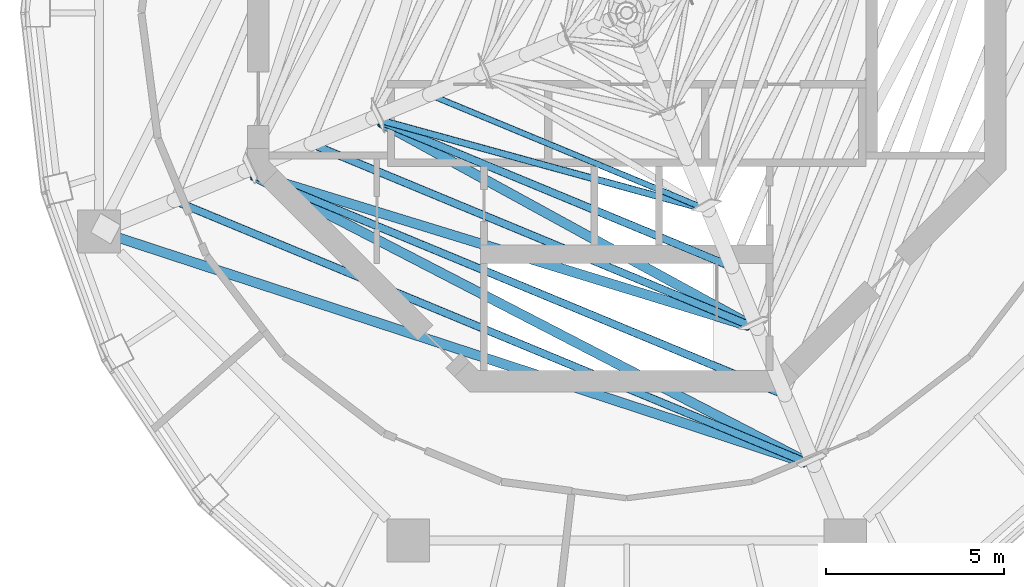
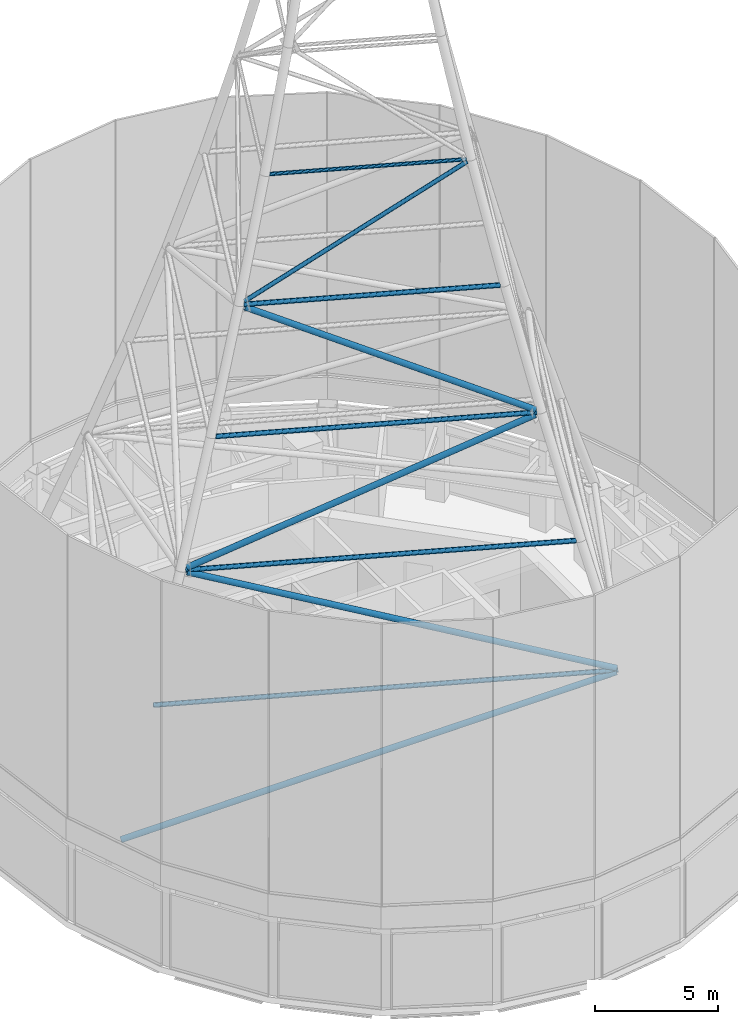
# One storey, part 4 of 25: 10 members.
"""IFC4 building model written with IfcOpenShell, lengths in metres."""

from ifc_helpers import new_model, si_unit, direction, frame, origin, origin_2d, place, context, subcontext, project, spatial, hollow_circle, extrude, material, material_profile, profile_set, type_object, element, save


model = new_model("IFC4")

# Units and contexts
model_context = context("Model", 3, precision=1e-05, world=origin(), true_north=direction((0.0, 1.0)))
body_context = subcontext(model_context, "Body", "Model", "MODEL_VIEW")
ifc_project = project(units=[si_unit("LENGTHUNIT", "METRE"), si_unit("AREAUNIT", "SQUARE_METRE"), si_unit("VOLUMEUNIT", "CUBIC_METRE"), si_unit("PLANEANGLEUNIT", "RADIAN"), si_unit("MASSUNIT", "GRAM", prefix="KILO")], contexts=[model_context])

# Site, building, storey
site_placement = place(None, origin())
site = spatial("IfcSite", under=ifc_project, at=site_placement, CompositionType="ELEMENT")
building_placement = place(site_placement, origin())
building = spatial("IfcBuilding", under=site, at=building_placement, Name="Nagisa Residences", CompositionType="ELEMENT")
storey_placement = place(building_placement, frame((0.0, 0.0, 340.89990234375)))
storey = spatial("IfcBuildingStorey", under=building, at=storey_placement, Name="L84", CompositionType="ELEMENT", Elevation=340.89990234375)

# Members
ifc_material_1 = material(Name="Steel ASTM A572 Gr 50", Category="steel")
ifc_material_profile_1 = material_profile(ifc_material_1, hollow_circle(Radius=0.096923828125, WallThickness=0.008056640625, at=origin_2d()), Name="MAST BRACE CHS 193.7x8")
ifc_profile_set_1 = profile_set([ifc_material_profile_1], Name="Steel ASTM A572 Gr 50")
member_type_1 = type_object("IfcMemberType", Name="MAST BRACE CHS 193.7x8", PredefinedType="BRACE", material=ifc_profile_set_1)
member_1_placement = place(storey_placement, frame((-6.888427734375, -3.011962890625, 26.134765625), z_axis=(0.840119997621, -0.230195109171, 0.491129923046), x_axis=(0.264262106498, 0.964450900289, 0.0)))
element("IfcMember", 1, at=member_1_placement, inside=storey, type_object=member_type_1, Name="Mast brace 5.3", PredefinedType="BRACE", context=body_context, shape_type="SweptSolid", body=[
    extrude(hollow_circle(Radius=0.096923828125, WallThickness=0.008056640625, at=origin_2d()), origin(), (0.0, 0.0, 1.0), 10.72998046875),
])
ifc_material_2 = material(Name="Steel ASTM A572 Gr 50", Category="steel")
ifc_material_profile_2 = material_profile(ifc_material_2, hollow_circle(Radius=0.136474609375, WallThickness=0.010009765625, at=origin_2d()), Name="MAST BRACE CHS 273x10")
ifc_profile_set_2 = profile_set([ifc_material_profile_2], Name="Steel ASTM A572 Gr 50")
member_type_2 = type_object("IfcMemberType", Name="MAST BRACE CHS 273x10", PredefinedType="BRACE", material=ifc_profile_set_2)
member_2_placement = place(storey_placement, frame((-14.52978515625, -6.20556640625, 4.0693359375), z_axis=(0.91951557411, -0.301314343662, 0.252390125149), x_axis=(0.311395601831, 0.950280368712, 0.0)))
element("IfcMember", 2, at=member_2_placement, inside=storey, type_object=member_type_2, Name="Mast brace 1.3", PredefinedType="BRACE", context=body_context, shape_type="SweptSolid", body=[
    extrude(hollow_circle(Radius=0.136474609375, WallThickness=0.010009765625, at=origin_2d()), origin(), (0.0, 0.0, 1.0), 21.2431640625),
])
member_3_placement = place(storey_placement, frame((5.02294921875, -12.568603515625, 9.580322265625), z_axis=(-0.849438710788, 0.439109704822, 0.292637222078), x_axis=(-0.459212398546, -0.888326501362, 0.0)))
element("IfcMember", 3, at=member_3_placement, inside=storey, type_object=member_type_2, Name="Mast brace 2.3", PredefinedType="BRACE", context=body_context, shape_type="SweptSolid", body=[
    extrude(hollow_circle(Radius=0.136474609375, WallThickness=0.010009765625, at=origin_2d()), origin(), (0.0, 0.0, 1.0), 18.24658203125),
])
member_4_placement = place(storey_placement, frame((-10.463134765625, -4.511474609375, 15.09423828125), z_axis=(0.897784827489, -0.275668239241, 0.343495888484), x_axis=(0.293528203344, 0.955950413903, 0.0)))
element("IfcMember", 4, at=member_4_placement, inside=storey, type_object=member_type_2, Name="Mast brace 3.3", PredefinedType="BRACE", context=body_context, shape_type="SweptSolid", body=[
    extrude(hollow_circle(Radius=0.136474609375, WallThickness=0.010009765625, at=origin_2d()), origin(), (0.0, 0.0, 1.0), 15.463134765625),
])
member_5_placement = place(storey_placement, frame((3.446044921875, -8.729736328125, 20.612060546875), z_axis=(-0.800760703492, 0.438175259165, 0.408392872119), x_axis=(-0.480030955112, -0.877251550089, 0.0)))
element("IfcMember", 5, at=member_5_placement, inside=storey, type_object=member_type_2, Name="Mast brace 4.3", PredefinedType="BRACE", context=body_context, shape_type="SweptSolid", body=[
    extrude(hollow_circle(Radius=0.136474609375, WallThickness=0.010009765625, at=origin_2d()), origin(), (0.0, 0.0, 1.0), 12.919189453125),
])
ifc_material_3 = material(Name="Steel ASTM A572 Gr 50", Category="steel")
ifc_material_profile_3 = material_profile(ifc_material_3, hollow_circle(Radius=0.084228515625, WallThickness=0.00634765625, at=origin_2d()), Name="MAST RING CHS 168.3x6.3")
ifc_profile_set_3 = profile_set([ifc_material_profile_3], Name="Steel ASTM A572 Gr 50")
member_type_3 = type_object("IfcMemberType", Name="MAST RING CHS 168.3x6.3", PredefinedType="STRUT", material=ifc_profile_set_3)
member_6_placement = place(storey_placement, frame((-5.3388671875, -2.366943359375, 31.5), z_axis=(0.923874950825, -0.382694493346, 0.0), x_axis=(0.382694493346, 0.923874950825, 0.0)))
element("IfcMember", 6, at=member_6_placement, inside=storey, type_object=member_type_3, Name="Mast ring 5 side 3", PredefinedType="STRUT", context=body_context, shape_type="SweptSolid", body=[
    extrude(hollow_circle(Radius=0.084228515625, WallThickness=0.00634765625, at=origin_2d()), origin(), (0.0, 0.0, 1.0), 8.053466796875),
])
ifc_material_4 = material(Name="Steel ASTM A572 Gr 50", Category="steel")
ifc_material_profile_4 = material_profile(ifc_material_4, hollow_circle(Radius=0.109619140625, WallThickness=0.008056640625, at=origin_2d()), Name="MAST RING CHS 219.1x8")
ifc_profile_set_4 = profile_set([ifc_material_profile_4], Name="Steel ASTM A572 Gr 50")
member_type_4 = type_object("IfcMemberType", Name="MAST RING CHS 219.1x8", PredefinedType="STRUT", material=ifc_profile_set_4)
member_7_placement = place(storey_placement, frame((-12.50146484375, -5.333740234375, 9.5), z_axis=(0.923880863425, -0.38268021924, 0.0), x_axis=(0.38268021924, 0.923880863425, 0.0)))
element("IfcMember", 7, at=member_7_placement, inside=storey, type_object=member_type_4, Name="Mast ring 1 side 3", PredefinedType="STRUT", context=body_context, shape_type="SweptSolid", body=[
    extrude(hollow_circle(Radius=0.109619140625, WallThickness=0.008056640625, at=origin_2d()), origin(), (0.0, 0.0, 1.0), 19.017333984375),
])
member_8_placement = place(storey_placement, frame((-10.521728515625, -4.513671875, 15.0), z_axis=(0.923880029758, -0.382682231904, 0.0), x_axis=(0.382682231904, 0.923880029758, 0.0)))
element("IfcMember", 8, at=member_8_placement, inside=storey, type_object=member_type_4, Name="Mast ring 2 side 3", PredefinedType="STRUT", context=body_context, shape_type="SweptSolid", body=[
    extrude(hollow_circle(Radius=0.109619140625, WallThickness=0.008056640625, at=origin_2d()), origin(), (0.0, 0.0, 1.0), 15.987060546875),
])
member_9_placement = place(storey_placement, frame((-8.662109375, -3.743408203125, 20.5), z_axis=(0.923880738559, -0.382680520695, 0.0), x_axis=(0.382680520695, 0.923880738559, 0.0)))
element("IfcMember", 9, at=member_9_placement, inside=storey, type_object=member_type_4, Name="Mast ring 3 side 3", PredefinedType="STRUT", context=body_context, shape_type="SweptSolid", body=[
    extrude(hollow_circle(Radius=0.109619140625, WallThickness=0.008056640625, at=origin_2d()), origin(), (0.0, 0.0, 1.0), 13.140380859375),
])
member_10_placement = place(storey_placement, frame((-6.93115234375, -3.0263671875, 26.0), z_axis=(0.923878415259, -0.382686129639, 0.0), x_axis=(0.382686129639, 0.923878415259, 0.0)))
element("IfcMember", 10, at=member_10_placement, inside=storey, type_object=member_type_4, Name="Mast ring 4 side 3", PredefinedType="STRUT", context=body_context, shape_type="SweptSolid", body=[
    extrude(hollow_circle(Radius=0.109619140625, WallThickness=0.008056640625, at=origin_2d()), origin(), (0.0, 0.0, 1.0), 10.49072265625),
])

save(model, "model.ifc")
